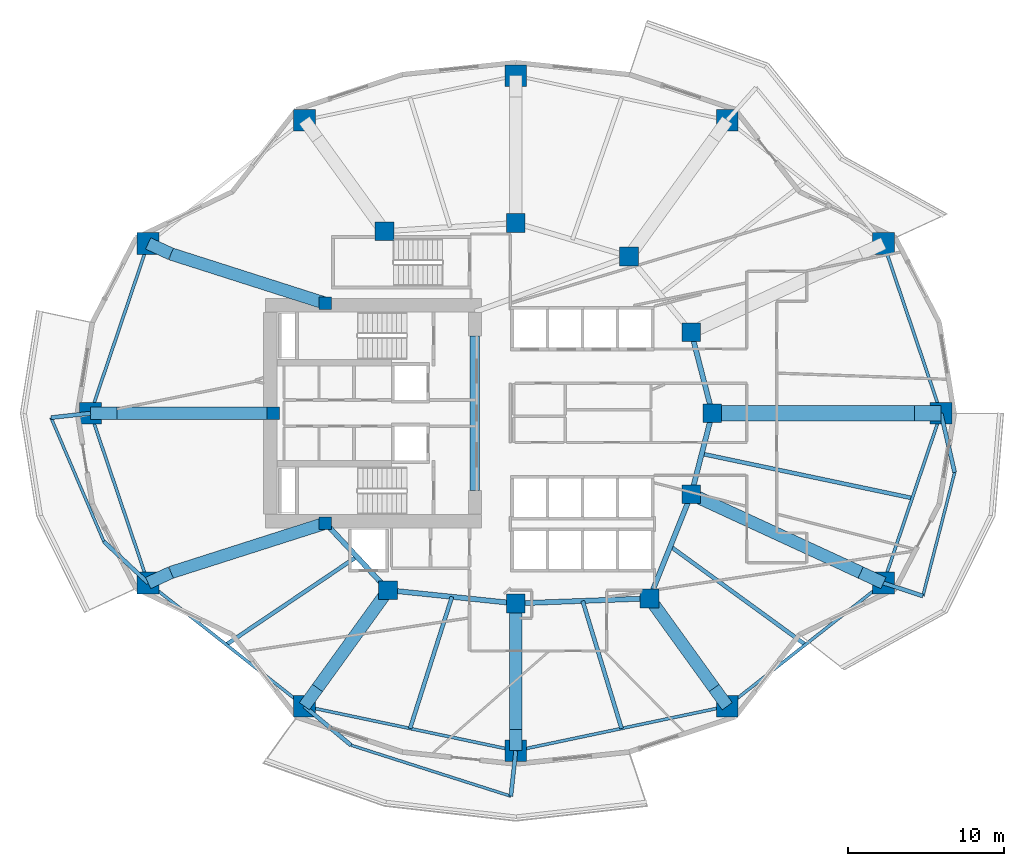
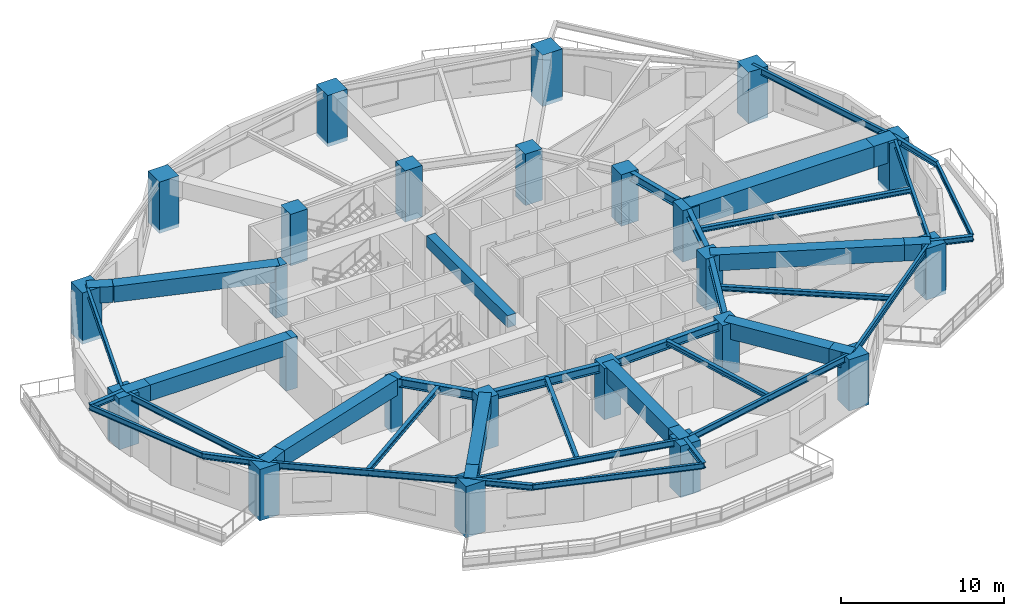
# One storey, part 1 of 13: 45 beams, 24 columns.
"""IFC4 building model written with IfcOpenShell, lengths in metres."""

from ifc_helpers import new_model, si_unit, direction, frame, origin, origin_2d, place, context, subcontext, project, spatial, rectangle, i_section, extrude, material, material_profile, profile_set, type_object, element, save


model = new_model("IFC4")

# Units and contexts
model_context = context("Model", 3, precision=1e-05, world=origin(), true_north=direction((0.0, 1.0)))
body_context = subcontext(model_context, "Body", "Model", "MODEL_VIEW")
ifc_project = project(units=[si_unit("LENGTHUNIT", "METRE"), si_unit("AREAUNIT", "SQUARE_METRE"), si_unit("VOLUMEUNIT", "CUBIC_METRE"), si_unit("PLANEANGLEUNIT", "RADIAN"), si_unit("MASSUNIT", "GRAM", prefix="KILO")], contexts=[model_context])

# Site, building, storey
site_placement = place(None, origin())
site = spatial("IfcSite", under=ifc_project, at=site_placement, CompositionType="ELEMENT")
building_placement = place(site_placement, origin())
building = spatial("IfcBuilding", under=site, at=building_placement, Name="Kolvaren Gate Tower and Convention Centre", CompositionType="ELEMENT")
storey_placement = place(building_placement, frame((0.0, 0.0, 49.60009765625)))
storey = spatial("IfcBuildingStorey", under=building, at=storey_placement, Name="L11", CompositionType="ELEMENT", Elevation=49.60009765625)

# Columns
ifc_material_1 = material(Name="Concrete C70/85", Category="concrete")
ifc_material_profile_1 = material_profile(ifc_material_1, rectangle(XDim=1.199951171875, YDim=1.199951171875, at=origin_2d()), Name="RC-COL-1200X1200")
ifc_profile_set_1 = profile_set([ifc_material_profile_1], Name="Concrete C70/85")
column_type_1 = type_object("IfcColumnType", Name="STR-COL-RC1200", PredefinedType="COLUMN", material=ifc_profile_set_1)
for number, where, z_axis, x_axis, name in (
    (1, (42.72509765625, 27.0, -0.280029296875), (0.0, 0.0, 1.0), (1.0, 0.0, 0.0), "Tower L11 Interior Column TI-01"),
    (2, (41.382080078125, 32.199462890625, -0.280029296875), (0.0, 0.0, 1.0), (1.0, 0.0, 0.0), "Tower L11 Interior Column TI-02"),
    (3, (37.381591796875, 37.054931640625, -0.280029296875), (0.0, 0.0, 1.0), (1.0, 0.0, 0.0), "Tower L11 Interior Column TI-03"),
    (4, (30.125, 39.199951171875, -0.280029296875), (0.0, 0.0, 1.0), (1.0, 0.0, 0.0), "Tower L11 Interior Column TI-04"),
    (5, (21.697998046875, 38.6767578125, -0.280029296875), (0.0, 0.0, 1.0), (1.0, 0.0, 0.0), "Tower L11 Interior Column TI-05"),
    (6, (21.93212890625, 15.647705078125, -0.280029296875), (0.0, 0.0, 1.0), (1.0, 0.0, 0.0), "Tower L11 Interior Column TI-06"),
    (7, (30.125, 14.800048828125, -0.280029296875), (0.0, 0.0, 1.0), (1.0, 0.0, 0.0), "Tower L11 Interior Column TI-07"),
    (8, (38.6982421875, 15.12060546875, -0.280029296875), (0.0, 0.0, 1.0), (1.0, 0.0, 0.0), "Tower L11 Interior Column TI-08"),
    (9, (41.382080078125, 21.800537109375, -0.280029296875), (0.0, 0.0, 1.0), (1.0, 0.0, 0.0), "Tower L11 Interior Column TI-09"),
):
    element("IfcColumn", number, at=place(storey_placement, frame(where, z_axis=z_axis, x_axis=x_axis)), inside=storey, type_object=column_type_1, Name=name, PredefinedType="COLUMN", context=body_context, shape_type="SweptSolid", body=[
        extrude(rectangle(XDim=1.199951171875, YDim=1.199951171875, at=origin_2d()), origin(), (0.0, 0.0, 1.0), 3.849853515625),
    ])
ifc_material_profile_2 = material_profile(ifc_material_1, rectangle(XDim=1.39990234375, YDim=1.39990234375, at=origin_2d()), Name="RC-COL-1400X1400")
ifc_profile_set_2 = profile_set([ifc_material_profile_2], Name="Concrete C70/85")
column_type_2 = type_object("IfcColumnType", Name="STR-COL-RC1400", PredefinedType="COLUMN", material=ifc_profile_set_2)
for number, where, z_axis, x_axis, name in (
    (10, (57.39990234375, 27.0, -0.280029296875), (0.0, 0.0, 1.0), (1.0, 0.0, 0.0), "Tower L11 Perimeter Supercolumn TP-01"),
    (11, (53.710205078125, 37.8935546875, -0.280029296875), (0.0, 0.0, 1.0), (1.0, 0.0, 0.0), "Tower L11 Perimeter Supercolumn TP-02"),
    (12, (43.690185546875, 45.79638671875, -0.280029296875), (0.0, 0.0, 1.0), (1.0, 0.0, 0.0), "Tower L11 Perimeter Supercolumn TP-03"),
    (13, (30.125, 48.64990234375, -0.280029296875), (0.0, 0.0, 1.0), (1.0, 0.0, 0.0), "Tower L11 Perimeter Supercolumn TP-04"),
    (14, (16.559814453125, 45.79638671875, -0.280029296875), (0.0, 0.0, 1.0), (1.0, 0.0, 0.0), "Tower L11 Perimeter Supercolumn TP-05"),
    (15, (6.539794921875, 37.8935546875, -0.280029296875), (0.0, 0.0, 1.0), (1.0, 0.0, 0.0), "Tower L11 Perimeter Supercolumn TP-06"),
    (16, (2.85009765625, 27.0, -0.280029296875), (0.0, 0.0, 1.0), (1.0, 0.0, 0.0), "Tower L11 Perimeter Supercolumn TP-07"),
    (17, (6.539794921875, 16.1064453125, -0.280029296875), (0.0, 0.0, 1.0), (1.0, 0.0, 0.0), "Tower L11 Perimeter Supercolumn TP-08"),
    (18, (16.559814453125, 8.20361328125, -0.280029296875), (0.0, 0.0, 1.0), (1.0, 0.0, 0.0), "Tower L11 Perimeter Supercolumn TP-09"),
    (19, (30.125, 5.35009765625, -0.280029296875), (0.0, 0.0, 1.0), (1.0, 0.0, 0.0), "Tower L11 Perimeter Supercolumn TP-10"),
    (20, (43.690185546875, 8.20361328125, -0.280029296875), (0.0, 0.0, 1.0), (1.0, 0.0, 0.0), "Tower L11 Perimeter Supercolumn TP-11"),
    (21, (53.710205078125, 16.1064453125, -0.280029296875), (0.0, 0.0, 1.0), (1.0, 0.0, 0.0), "Tower L11 Perimeter Supercolumn TP-12"),
):
    element("IfcColumn", number, at=place(storey_placement, frame(where, z_axis=z_axis, x_axis=x_axis)), inside=storey, type_object=column_type_2, Name=name, PredefinedType="COLUMN", context=body_context, shape_type="SweptSolid", body=[
        extrude(rectangle(XDim=1.39990234375, YDim=1.39990234375, at=origin_2d()), origin(), (0.0, 0.0, 1.0), 3.849853515625),
    ])
ifc_material_2 = material(Name="Concrete C60/75", Category="concrete")
ifc_material_profile_3 = material_profile(ifc_material_2, rectangle(XDim=0.800048828125, YDim=0.800048828125, at=origin_2d()), Name="RC-COL-800X800")
ifc_profile_set_3 = profile_set([ifc_material_profile_3], Name="Concrete C60/75")
column_type_3 = type_object("IfcColumnType", Name="STR-PIL-RC800", PredefinedType="PILASTER", material=ifc_profile_set_3)
for number, where, z_axis, x_axis, name in (
    (22, (17.9140625, 34.050048828125, -0.280029296875), (0.0, 0.0, 1.0), (1.0, 0.0, 0.0), "Tower L11 Core Boundary Pilaster TC-05"),
    (23, (14.550048828125, 27.0, -0.280029296875), (0.0, 0.0, 1.0), (1.0, 0.0, 0.0), "Tower L11 Core Boundary Pilaster TC-06"),
    (24, (17.9140625, 19.949951171875, -0.280029296875), (0.0, 0.0, 1.0), (1.0, 0.0, 0.0), "Tower L11 Core Boundary Pilaster TC-07"),
):
    element("IfcColumn", number, at=place(storey_placement, frame(where, z_axis=z_axis, x_axis=x_axis)), inside=storey, type_object=column_type_3, Name=name, PredefinedType="PILASTER", context=body_context, shape_type="SweptSolid", body=[
        extrude(rectangle(XDim=0.800048828125, YDim=0.800048828125, at=origin_2d()), origin(), (0.0, 0.0, 1.0), 3.849853515625),
    ])

# Beams
ifc_material_3 = material(Name="Structural steel ASTM A992 Grade 345 MPa", Category="steel")
ifc_material_profile_4 = material_profile(ifc_material_3, i_section(OverallWidth=0.260009765625, OverallDepth=0.419921875, WebThickness=0.013427734375, FlangeThickness=0.0224609375, at=origin_2d()), Name="W410X132")
ifc_profile_set_4 = profile_set([ifc_material_profile_4], Name="Structural steel ASTM A992 Grade 345 MPa")
beam_type_1 = type_object("IfcBeamType", Name="STR-BM-W410X132", PredefinedType="BEAM", material=ifc_profile_set_4)
beam_1_placement = place(storey_placement, frame((2.85009765625, 27.0, 3.3603515625), z_axis=(-0.99380547614, -0.111133593451, 0.0), x_axis=(0.111133593451, -0.99380547614, 0.0)))
element("IfcBeam", 25, at=beam_1_placement, inside=storey, type_object=beam_type_1, Name="Tower L12 Planted Balcony Outrigger Cantilever BC-2A", PredefinedType="BEAM", context=body_context, shape_type="SweptSolid", body=[
    extrude(i_section(OverallWidth=0.260009765625, OverallDepth=0.419921875, WebThickness=0.013427734375, FlangeThickness=0.0224609375, at=origin_2d()), origin(), (0.0, 0.0, 1.0), 2.55712890625),
])
beam_2_placement = place(storey_placement, frame((6.539794921875, 16.1064453125, 3.3603515625), z_axis=(-0.729404443916, 0.684082712248, 0.0), x_axis=(-0.684082712248, -0.729404443916, 0.0)))
element("IfcBeam", 26, at=beam_2_placement, inside=storey, type_object=beam_type_1, Name="Tower L12 Planted Balcony Outrigger Cantilever BC-2B", PredefinedType="BEAM", context=body_context, shape_type="SweptSolid", body=[
    extrude(i_section(OverallWidth=0.260009765625, OverallDepth=0.419921875, WebThickness=0.013427734375, FlangeThickness=0.0224609375, at=origin_2d()), origin(), (0.0, 0.0, 1.0), 3.900146484375),
])
beam_3_placement = place(storey_placement, frame((16.559814453125, 8.20361328125, 3.3603515625), z_axis=(0.767502410538, -0.641046059046, 0.0), x_axis=(0.641046059046, 0.767502410538, 0.0)))
element("IfcBeam", 27, at=beam_3_placement, inside=storey, type_object=beam_type_1, Name="Tower L12 Planted Balcony Outrigger Cantilever BC-3A", PredefinedType="BEAM", context=body_context, shape_type="SweptSolid", body=[
    extrude(i_section(OverallWidth=0.260009765625, OverallDepth=0.419921875, WebThickness=0.013427734375, FlangeThickness=0.0224609375, at=origin_2d()), origin(), (0.0, 0.0, 1.0), 3.89990234375),
])
beam_4_placement = place(storey_placement, frame((30.125, 5.35009765625, 3.3603515625), z_axis=(-0.108175388995, -0.994131824868, 0.0), x_axis=(0.994131824868, -0.108175388995, 0.0)))
element("IfcBeam", 28, at=beam_4_placement, inside=storey, type_object=beam_type_1, Name="Tower L12 Planted Balcony Outrigger Cantilever BC-3B", PredefinedType="BEAM", context=body_context, shape_type="SweptSolid", body=[
    extrude(i_section(OverallWidth=0.260009765625, OverallDepth=0.419921875, WebThickness=0.013427734375, FlangeThickness=0.0224609375, at=origin_2d()), origin(), (0.0, 0.0, 1.0), 2.93408203125),
])
beam_5_placement = place(storey_placement, frame((53.710205078125, 16.1064453125, 3.3603515625), z_axis=(0.95005079682, -0.312095311502, 0.0), x_axis=(0.312095311502, 0.95005079682, 0.0)))
element("IfcBeam", 29, at=beam_5_placement, inside=storey, type_object=beam_type_1, Name="Tower L12 Planted Balcony Outrigger Cantilever BC-4A", PredefinedType="BEAM", context=body_context, shape_type="SweptSolid", body=[
    extrude(i_section(OverallWidth=0.260009765625, OverallDepth=0.419921875, WebThickness=0.013427734375, FlangeThickness=0.0224609375, at=origin_2d()), origin(), (0.0, 0.0, 1.0), 2.660400390625),
])
beam_6_placement = place(storey_placement, frame((57.39990234375, 27.0, 3.3603515625), z_axis=(0.224850363228, -0.974393305681, 0.0), x_axis=(0.974393305681, 0.224850363228, 0.0)))
element("IfcBeam", 30, at=beam_6_placement, inside=storey, type_object=beam_type_1, Name="Tower L12 Planted Balcony Outrigger Cantilever BC-4B", PredefinedType="BEAM", context=body_context, shape_type="SweptSolid", body=[
    extrude(i_section(OverallWidth=0.260009765625, OverallDepth=0.419921875, WebThickness=0.013427734375, FlangeThickness=0.0224609375, at=origin_2d()), origin(), (0.0, 0.0, 1.0), 3.900146484375),
])
ifc_material_profile_5 = material_profile(ifc_material_3, i_section(OverallWidth=0.327880859375, OverallDepth=0.6279296875, WebThickness=0.0166015625, FlangeThickness=0.027587890625, at=origin_2d()), Name="W610X217")
ifc_profile_set_5 = profile_set([ifc_material_profile_5], Name="Structural steel ASTM A992 Grade 345 MPa")
beam_type_2 = type_object("IfcBeamType", Name="STR-BM-W610X217", PredefinedType="BEAM", material=ifc_profile_set_5)
beam_7_placement = place(storey_placement, frame((42.72509765625, 27.0, 3.255859375), z_axis=(-0.250091133936, -0.968222301296, 0.0), x_axis=(0.968222301296, -0.250091133936, 0.0)))
element("IfcBeam", 31, at=beam_7_placement, inside=storey, type_object=beam_type_2, Name="Tower L11 Primary Ring Girder G-01", PredefinedType="BEAM", context=body_context, shape_type="SweptSolid", body=[
    extrude(i_section(OverallWidth=0.327880859375, OverallDepth=0.6279296875, WebThickness=0.0166015625, FlangeThickness=0.027587890625, at=origin_2d()), origin(), (0.0, 0.0, 1.0), 5.3701171875),
])
beam_8_placement = place(storey_placement, frame((17.9140625, 19.949951171875, 3.255859375), z_axis=(0.682557592987, -0.730831808459, 0.0), x_axis=(0.730831808459, 0.682557592987, 0.0)))
element("IfcBeam", 32, at=beam_8_placement, inside=storey, type_object=beam_type_2, Name="Tower L11 Primary Ring Girder G-06", PredefinedType="BEAM", context=body_context, shape_type="SweptSolid", body=[
    extrude(i_section(OverallWidth=0.327880859375, OverallDepth=0.6279296875, WebThickness=0.0166015625, FlangeThickness=0.027587890625, at=origin_2d()), origin(), (0.0, 0.0, 1.0), 5.88671875),
])
beam_9_placement = place(storey_placement, frame((21.93212890625, 15.647705078125, 3.255859375), z_axis=(0.994690329115, -0.102913308978, 0.0), x_axis=(0.102913308978, 0.994690329115, 0.0)))
element("IfcBeam", 33, at=beam_9_placement, inside=storey, type_object=beam_type_2, Name="Tower L11 Primary Ring Girder G-07", PredefinedType="BEAM", context=body_context, shape_type="SweptSolid", body=[
    extrude(i_section(OverallWidth=0.327880859375, OverallDepth=0.6279296875, WebThickness=0.0166015625, FlangeThickness=0.027587890625, at=origin_2d()), origin(), (0.0, 0.0, 1.0), 8.236572265625),
])
beam_10_placement = place(storey_placement, frame((30.125, 14.800048828125, 3.255859375), z_axis=(0.999301712453, 0.037364254142, 0.0), x_axis=(-0.037364254142, 0.999301712453, 0.0)))
element("IfcBeam", 34, at=beam_10_placement, inside=storey, type_object=beam_type_2, Name="Tower L11 Primary Ring Girder G-08", PredefinedType="BEAM", context=body_context, shape_type="SweptSolid", body=[
    extrude(i_section(OverallWidth=0.327880859375, OverallDepth=0.6279296875, WebThickness=0.0166015625, FlangeThickness=0.027587890625, at=origin_2d()), origin(), (0.0, 0.0, 1.0), 8.579345703125),
])
beam_11_placement = place(storey_placement, frame((38.6982421875, 15.12060546875, 3.255859375), z_axis=(0.372811100169, 0.927907260232, 0.0), x_axis=(-0.927907260232, 0.372811100169, 0.0)))
element("IfcBeam", 35, at=beam_11_placement, inside=storey, type_object=beam_type_2, Name="Tower L11 Primary Ring Girder G-09", PredefinedType="BEAM", context=body_context, shape_type="SweptSolid", body=[
    extrude(i_section(OverallWidth=0.327880859375, OverallDepth=0.6279296875, WebThickness=0.0166015625, FlangeThickness=0.027587890625, at=origin_2d()), origin(), (0.0, 0.0, 1.0), 7.198974609375),
])
beam_12_placement = place(storey_placement, frame((42.72509765625, 27.0, 3.255859375), z_axis=(-0.250091133936, 0.968222301296, 0.0), x_axis=(-0.968222301296, -0.250091133936, 0.0)))
element("IfcBeam", 36, at=beam_12_placement, inside=storey, type_object=beam_type_2, Name="Tower L11 Primary Ring Girder G-12", PredefinedType="BEAM", context=body_context, shape_type="SweptSolid", body=[
    extrude(i_section(OverallWidth=0.327880859375, OverallDepth=0.6279296875, WebThickness=0.0166015625, FlangeThickness=0.027587890625, at=origin_2d()), origin(), (0.0, 0.0, 1.0), 5.3701171875),
])
ifc_material_profile_6 = material_profile(ifc_material_3, i_section(OverallWidth=0.2548828125, OverallDepth=0.35693359375, WebThickness=0.010498046875, FlangeThickness=0.018310546875, at=origin_2d()), Name="W360X101")
ifc_profile_set_6 = profile_set([ifc_material_profile_6], Name="Structural steel ASTM A992 Grade 345 MPa")
beam_type_3 = type_object("IfcBeamType", Name="STR-JS-W360X101", PredefinedType="JOIST", material=ifc_profile_set_6)
beam_13_placement = place(storey_placement, frame((19.923095703125, 17.798828125, 3.391357421875), z_axis=(-0.829223797874, -0.558916713866, 0.0), x_axis=(0.558916713866, -0.829223797874, 0.0)))
element("IfcBeam", 37, at=beam_13_placement, inside=storey, type_object=beam_type_3, Name="Tower L11 Secondary Composite Floor Joist J-08.1", PredefinedType="JOIST", context=body_context, shape_type="SweptSolid", body=[
    extrude(i_section(OverallWidth=0.2548828125, OverallDepth=0.35693359375, WebThickness=0.010498046875, FlangeThickness=0.018310546875, at=origin_2d()), origin(), (0.0, 0.0, 1.0), 10.09765625),
])
beam_14_placement = place(storey_placement, frame((26.028564453125, 15.223876953125, 3.391357421875), z_axis=(-0.303059270932, -0.952971709078, 0.0), x_axis=(0.952971709078, -0.303059270932, 0.0)))
element("IfcBeam", 38, at=beam_14_placement, inside=storey, type_object=beam_type_3, Name="Tower L11 Secondary Composite Floor Joist J-09.1", PredefinedType="JOIST", context=body_context, shape_type="SweptSolid", body=[
    extrude(i_section(OverallWidth=0.2548828125, OverallDepth=0.35693359375, WebThickness=0.010498046875, FlangeThickness=0.018310546875, at=origin_2d()), origin(), (0.0, 0.0, 1.0), 8.86376953125),
])
beam_15_placement = place(storey_placement, frame((34.41162109375, 14.960205078125, 3.391357421875), z_axis=(0.291750890749, -0.956494337541, 0.0), x_axis=(0.956494337541, 0.291750890749, 0.0)))
element("IfcBeam", 39, at=beam_15_placement, inside=storey, type_object=beam_type_3, Name="Tower L11 Secondary Composite Floor Joist J-10.1", PredefinedType="JOIST", context=body_context, shape_type="SweptSolid", body=[
    extrude(i_section(OverallWidth=0.2548828125, OverallDepth=0.35693359375, WebThickness=0.010498046875, FlangeThickness=0.018310546875, at=origin_2d()), origin(), (0.0, 0.0, 1.0), 8.5556640625),
])
beam_16_placement = place(storey_placement, frame((40.040283203125, 18.46044921875, 3.391357421875), z_axis=(0.808411716387, -0.588617445212, 0.0), x_axis=(0.588617445212, 0.808411716387, 0.0)))
element("IfcBeam", 40, at=beam_16_placement, inside=storey, type_object=beam_type_3, Name="Tower L11 Secondary Composite Floor Joist J-11.1", PredefinedType="JOIST", context=body_context, shape_type="SweptSolid", body=[
    extrude(i_section(OverallWidth=0.2548828125, OverallDepth=0.35693359375, WebThickness=0.010498046875, FlangeThickness=0.018310546875, at=origin_2d()), origin(), (0.0, 0.0, 1.0), 10.712158203125),
])
beam_17_placement = place(storey_placement, frame((42.0537109375, 24.400146484375, 3.391357421875), z_axis=(0.978483842038, -0.206323461756, 0.0), x_axis=(0.206323461756, 0.978483842038, 0.0)))
element("IfcBeam", 41, at=beam_17_placement, inside=storey, type_object=beam_type_3, Name="Tower L11 Secondary Composite Floor Joist J-12.1", PredefinedType="JOIST", context=body_context, shape_type="SweptSolid", body=[
    extrude(i_section(OverallWidth=0.2548828125, OverallDepth=0.35693359375, WebThickness=0.010498046875, FlangeThickness=0.018310546875, at=origin_2d()), origin(), (0.0, 0.0, 1.0), 13.79833984375),
])
ifc_material_profile_7 = material_profile(ifc_material_2, rectangle(XDim=0.60009765625, YDim=0.89990234375, at=origin_2d()), Name="RC-BM-600X900")
ifc_profile_set_7 = profile_set([ifc_material_profile_7], Name="Concrete C60/75")
beam_type_4 = type_object("IfcBeamType", Name="STR-LN-RC600X900", PredefinedType="LINTEL", material=ifc_profile_set_7)
beam_18_placement = place(storey_placement, frame((27.5, 22.050048828125, 3.119873046875), z_axis=(0.0, 1.0, 0.0), x_axis=(-1.0, 0.0, 0.0)))
element("IfcBeam", 42, at=beam_18_placement, inside=storey, type_object=beam_type_4, Name="Tower L11 Core Ductile Coupling Beam CB-01", PredefinedType="LINTEL", context=body_context, shape_type="SweptSolid", body=[
    extrude(rectangle(XDim=0.60009765625, YDim=0.89990234375, at=origin_2d()), origin(), (0.0, 0.0, 1.0), 9.89990234375),
])
ifc_material_profile_8 = material_profile(ifc_material_3, i_section(OverallWidth=0.180908203125, OverallDepth=0.4169921875, WebThickness=0.010986328125, FlangeThickness=0.018310546875, at=origin_2d()), Name="W410X85")
ifc_profile_set_8 = profile_set([ifc_material_profile_8], Name="Structural steel ASTM A992 Grade 345 MPa")
beam_type_5 = type_object("IfcBeamType", Name="STR-SP-W410X85", PredefinedType="SPANDREL", material=ifc_profile_set_8)
beam_19_placement = place(storey_placement, frame((0.308837890625, 26.7158203125, 3.36181640625), z_axis=(0.392232609985, -0.919866066156, 0.0), x_axis=(0.919866066156, 0.392232609985, 0.0)))
element("IfcBeam", 43, at=beam_19_placement, inside=storey, type_object=beam_type_5, Name="Tower L12 Planted Balcony Header Tie Beam BT-2", PredefinedType="SPANDREL", context=body_context, shape_type="SweptSolid", body=[
    extrude(i_section(OverallWidth=0.180908203125, OverallDepth=0.4169921875, WebThickness=0.010986328125, FlangeThickness=0.018310546875, at=origin_2d()), origin(), (0.0, 0.0, 1.0), 8.63330078125),
])
beam_20_placement = place(storey_placement, frame((19.552978515625, 5.70361328125, 3.36181640625), z_axis=(0.952726284504, -0.303829930742, 0.0), x_axis=(0.303829930742, 0.952726284504, 0.0)))
element("IfcBeam", 44, at=beam_20_placement, inside=storey, type_object=beam_type_5, Name="Tower L12 Planted Balcony Header Tie Beam BT-3", PredefinedType="SPANDREL", context=body_context, shape_type="SweptSolid", body=[
    extrude(i_section(OverallWidth=0.180908203125, OverallDepth=0.4169921875, WebThickness=0.010986328125, FlangeThickness=0.018310546875, at=origin_2d()), origin(), (0.0, 0.0, 1.0), 10.763427734375),
])
beam_21_placement = place(storey_placement, frame((56.23779296875, 15.276123046875, 3.36181640625), z_axis=(0.24922096464, 0.968446648393, 0.0), x_axis=(-0.968446648393, 0.24922096464, 0.0)))
element("IfcBeam", 45, at=beam_21_placement, inside=storey, type_object=beam_type_5, Name="Tower L12 Planted Balcony Header Tie Beam BT-4", PredefinedType="SPANDREL", context=body_context, shape_type="SweptSolid", body=[
    extrude(i_section(OverallWidth=0.180908203125, OverallDepth=0.4169921875, WebThickness=0.010986328125, FlangeThickness=0.018310546875, at=origin_2d()), origin(), (0.0, 0.0, 1.0), 8.181640625),
])
ifc_material_profile_9 = material_profile(ifc_material_3, i_section(OverallWidth=0.194091796875, OverallDepth=0.468994140625, WebThickness=0.0126953125, FlangeThickness=0.0205078125, at=origin_2d()), Name="W460X106")
ifc_profile_set_9 = profile_set([ifc_material_profile_9], Name="Structural steel ASTM A992 Grade 345 MPa")
beam_type_6 = type_object("IfcBeamType", Name="STR-SP-W460X106", PredefinedType="SPANDREL", material=ifc_profile_set_9)
for number, where, z_axis, x_axis, name in (
    (46, (57.39990234375, 27.0, 3.33544921875), (-0.320802733798, 0.947146032029, 0.0), (-0.947146032029, -0.320802733798, 0.0), "Tower L11 Perimeter Spandrel Beam SP-01"),
    (47, (6.539794921875, 37.8935546875, 3.33544921875), (-0.320802733798, -0.947146032029, 0.0), (0.947146032029, -0.320802733798, 0.0), "Tower L11 Perimeter Spandrel Beam SP-06"),
    (48, (2.85009765625, 27.0, 3.33544921875), (0.320802733798, -0.947146032029, 0.0), (0.947146032029, 0.320802733798, 0.0), "Tower L11 Perimeter Spandrel Beam SP-07"),
):
    element("IfcBeam", number, at=place(storey_placement, frame(where, z_axis=z_axis, x_axis=x_axis)), inside=storey, type_object=beam_type_6, Name=name, PredefinedType="SPANDREL", context=body_context, shape_type="SweptSolid", body=[
        extrude(i_section(OverallWidth=0.194091796875, OverallDepth=0.468994140625, WebThickness=0.0126953125, FlangeThickness=0.0205078125, at=origin_2d()), origin(), (0.0, 0.0, 1.0), 11.50146484375),
    ])
beam_22_placement = place(storey_placement, frame((6.539794921875, 16.1064453125, 3.33544921875), z_axis=(0.785176498861, -0.619272044933, 0.0), x_axis=(0.619272044933, 0.785176498861, 0.0)))
element("IfcBeam", 49, at=beam_22_placement, inside=storey, type_object=beam_type_6, Name="Tower L11 Perimeter Spandrel Beam SP-08", PredefinedType="SPANDREL", context=body_context, shape_type="SweptSolid", body=[
    extrude(i_section(OverallWidth=0.194091796875, OverallDepth=0.468994140625, WebThickness=0.0126953125, FlangeThickness=0.0205078125, at=origin_2d()), origin(), (0.0, 0.0, 1.0), 12.761474609375),
])
for number, where, z_axis, x_axis, name in (
    (50, (16.559814453125, 8.20361328125, 3.33544921875), (0.978583407863, -0.205850707685, 0.0), (0.205850707685, 0.978583407863, 0.0), "Tower L11 Perimeter Spandrel Beam SP-09"),
    (51, (30.125, 5.35009765625, 3.33544921875), (0.978583407863, 0.205850707685, 0.0), (-0.205850707685, 0.978583407863, 0.0), "Tower L11 Perimeter Spandrel Beam SP-10"),
):
    element("IfcBeam", number, at=place(storey_placement, frame(where, z_axis=z_axis, x_axis=x_axis)), inside=storey, type_object=beam_type_6, Name=name, PredefinedType="SPANDREL", context=body_context, shape_type="SweptSolid", body=[
        extrude(i_section(OverallWidth=0.194091796875, OverallDepth=0.468994140625, WebThickness=0.0126953125, FlangeThickness=0.0205078125, at=origin_2d()), origin(), (0.0, 0.0, 1.0), 13.862060546875),
    ])
beam_23_placement = place(storey_placement, frame((43.690185546875, 8.20361328125, 3.33544921875), z_axis=(0.785176498861, 0.619272044933, 0.0), x_axis=(-0.619272044933, 0.785176498861, 0.0)))
element("IfcBeam", 52, at=beam_23_placement, inside=storey, type_object=beam_type_6, Name="Tower L11 Perimeter Spandrel Beam SP-11", PredefinedType="SPANDREL", context=body_context, shape_type="SweptSolid", body=[
    extrude(i_section(OverallWidth=0.194091796875, OverallDepth=0.468994140625, WebThickness=0.0126953125, FlangeThickness=0.0205078125, at=origin_2d()), origin(), (0.0, 0.0, 1.0), 12.761474609375),
])
beam_24_placement = place(storey_placement, frame((53.710205078125, 16.1064453125, 3.33544921875), z_axis=(0.320802733798, 0.947146032029, 0.0), x_axis=(-0.947146032029, 0.320802733798, 0.0)))
element("IfcBeam", 53, at=beam_24_placement, inside=storey, type_object=beam_type_6, Name="Tower L11 Perimeter Spandrel Beam SP-12", PredefinedType="SPANDREL", context=body_context, shape_type="SweptSolid", body=[
    extrude(i_section(OverallWidth=0.194091796875, OverallDepth=0.468994140625, WebThickness=0.0126953125, FlangeThickness=0.0205078125, at=origin_2d()), origin(), (0.0, 0.0, 1.0), 11.50146484375),
])
ifc_material_profile_10 = material_profile(ifc_material_1, rectangle(XDim=1.0, YDim=1.60009765625, at=origin_2d()), Name="RC-BM-1000X1600")
ifc_profile_set_10 = profile_set([ifc_material_profile_10], Name="Concrete C70/85")
beam_type_7 = type_object("IfcBeamType", Name="STR-TG-RC1000X1600", PredefinedType="USERDEFINED", material=ifc_profile_set_10)
beam_25_placement = place(storey_placement, frame((42.72509765625, 27.0, 2.7705078125), z_axis=(1.0, 0.0, 0.0), x_axis=(0.0, 1.0, 0.0)))
element("IfcBeam", 54, at=beam_25_placement, inside=storey, type_object=beam_type_7, Name="Tower L11 Zone-Transition Radial Transfer Girder XFG-01A", ObjectType="TRANSFER GIRDER", PredefinedType="USERDEFINED", context=body_context, shape_type="SweptSolid", body=[
    extrude(rectangle(XDim=1.0, YDim=1.60009765625, at=origin_2d()), origin(), (0.0, 0.0, 1.0), 12.9873046875),
])
beam_26_placement = place(storey_placement, frame((55.71240234375, 27.0, 2.7705078125), z_axis=(1.0, 0.0, 0.0), x_axis=(0.0, 1.0, 0.0)))
element("IfcBeam", 55, at=beam_26_placement, inside=storey, type_object=beam_type_7, Name="Tower L11 Zone-Transition Radial Transfer Girder XFG-01B", ObjectType="TRANSFER GIRDER", PredefinedType="USERDEFINED", context=body_context, shape_type="SweptSolid", body=[
    extrude(rectangle(XDim=1.0, YDim=1.60009765625, at=origin_2d()), origin(), (0.0, 0.0, 1.0), 1.6875),
])
ifc_material_profile_11 = material_profile(ifc_material_1, rectangle(XDim=0.800048828125, YDim=1.199951171875, at=origin_2d()), Name="RC-BM-800X1200")
ifc_profile_set_11 = profile_set([ifc_material_profile_11], Name="Concrete C70/85")
beam_type_8 = type_object("IfcBeamType", Name="STR-TG-RC800X1200", PredefinedType="USERDEFINED", material=ifc_profile_set_11)
beam_27_placement = place(storey_placement, frame((17.9140625, 34.050048828125, 2.970458984375), z_axis=(-0.952525967456, 0.304457355507, 0.0), x_axis=(-0.304457355507, -0.952525967456, 0.0)))
element("IfcBeam", 56, at=beam_27_placement, inside=storey, type_object=beam_type_8, Name="Tower L11 Zone-Transition Radial Transfer Girder XFG-06A", ObjectType="TRANSFER GIRDER", PredefinedType="USERDEFINED", context=body_context, shape_type="SweptSolid", body=[
    extrude(rectangle(XDim=0.800048828125, YDim=1.199951171875, at=origin_2d()), origin(), (0.0, 0.0, 1.0), 10.406982421875),
])
beam_28_placement = place(storey_placement, frame((8.001220703125, 37.218505859375, 2.970458984375), z_axis=(-0.907830616486, 0.419337062243, 0.0), x_axis=(-0.419337062243, -0.907830616486, 0.0)))
element("IfcBeam", 57, at=beam_28_placement, inside=storey, type_object=beam_type_8, Name="Tower L11 Zone-Transition Radial Transfer Girder XFG-06B", ObjectType="TRANSFER GIRDER", PredefinedType="USERDEFINED", context=body_context, shape_type="SweptSolid", body=[
    extrude(rectangle(XDim=0.800048828125, YDim=1.199951171875, at=origin_2d()), origin(), (0.0, 0.0, 1.0), 1.60986328125),
])
beam_29_placement = place(storey_placement, frame((14.550048828125, 27.0, 2.970458984375), z_axis=(-1.0, 0.0, 0.0), x_axis=(0.0, -1.0, 0.0)))
element("IfcBeam", 58, at=beam_29_placement, inside=storey, type_object=beam_type_8, Name="Tower L11 Zone-Transition Radial Transfer Girder XFG-07A", ObjectType="TRANSFER GIRDER", PredefinedType="USERDEFINED", context=body_context, shape_type="SweptSolid", body=[
    extrude(rectangle(XDim=0.800048828125, YDim=1.199951171875, at=origin_2d()), origin(), (0.0, 0.0, 1.0), 10.012451171875),
])
beam_30_placement = place(storey_placement, frame((4.53759765625, 27.0, 2.970458984375), z_axis=(-1.0, 0.0, 0.0), x_axis=(0.0, -1.0, 0.0)))
element("IfcBeam", 59, at=beam_30_placement, inside=storey, type_object=beam_type_8, Name="Tower L11 Zone-Transition Radial Transfer Girder XFG-07B", ObjectType="TRANSFER GIRDER", PredefinedType="USERDEFINED", context=body_context, shape_type="SweptSolid", body=[
    extrude(rectangle(XDim=0.800048828125, YDim=1.199951171875, at=origin_2d()), origin(), (0.0, 0.0, 1.0), 1.6875),
])
beam_31_placement = place(storey_placement, frame((17.9140625, 19.949951171875, 2.970458984375), z_axis=(-0.952525967456, -0.304457355507, 0.0), x_axis=(0.304457355507, -0.952525967456, 0.0)))
element("IfcBeam", 60, at=beam_31_placement, inside=storey, type_object=beam_type_8, Name="Tower L11 Zone-Transition Radial Transfer Girder XFG-08A", ObjectType="TRANSFER GIRDER", PredefinedType="USERDEFINED", context=body_context, shape_type="SweptSolid", body=[
    extrude(rectangle(XDim=0.800048828125, YDim=1.199951171875, at=origin_2d()), origin(), (0.0, 0.0, 1.0), 10.406982421875),
])
beam_32_placement = place(storey_placement, frame((8.001220703125, 16.781494140625, 2.970458984375), z_axis=(-0.907830616486, -0.419337062243, 0.0), x_axis=(0.419337062243, -0.907830616486, 0.0)))
element("IfcBeam", 61, at=beam_32_placement, inside=storey, type_object=beam_type_8, Name="Tower L11 Zone-Transition Radial Transfer Girder XFG-08B", ObjectType="TRANSFER GIRDER", PredefinedType="USERDEFINED", context=body_context, shape_type="SweptSolid", body=[
    extrude(rectangle(XDim=0.800048828125, YDim=1.199951171875, at=origin_2d()), origin(), (0.0, 0.0, 1.0), 1.60986328125),
])
beam_33_placement = place(storey_placement, frame((21.93212890625, 15.647705078125, 2.970458984375), z_axis=(-0.585209453994, -0.810882170821, 0.0), x_axis=(0.810882170821, -0.585209453994, 0.0)))
element("IfcBeam", 62, at=beam_33_placement, inside=storey, type_object=beam_type_8, Name="Tower L11 Zone-Transition Radial Transfer Girder XFG-09A", ObjectType="TRANSFER GIRDER", PredefinedType="USERDEFINED", context=body_context, shape_type="SweptSolid", body=[
    extrude(rectangle(XDim=0.800048828125, YDim=1.199951171875, at=origin_2d()), origin(), (0.0, 0.0, 1.0), 7.73828125),
])
beam_34_placement = place(storey_placement, frame((17.403564453125, 9.372802734375, 2.970458984375), z_axis=(-0.585187582445, -0.810897954956, 0.0), x_axis=(0.810897954956, -0.585187582445, 0.0)))
element("IfcBeam", 63, at=beam_34_placement, inside=storey, type_object=beam_type_8, Name="Tower L11 Zone-Transition Radial Transfer Girder XFG-09B", ObjectType="TRANSFER GIRDER", PredefinedType="USERDEFINED", context=body_context, shape_type="SweptSolid", body=[
    extrude(rectangle(XDim=0.800048828125, YDim=1.199951171875, at=origin_2d()), origin(), (0.0, 0.0, 1.0), 1.44189453125),
])
beam_35_placement = place(storey_placement, frame((30.125, 14.800048828125, 2.970458984375), z_axis=(0.0, -1.0, 0.0), x_axis=(1.0, 0.0, 0.0)))
element("IfcBeam", 64, at=beam_35_placement, inside=storey, type_object=beam_type_8, Name="Tower L11 Zone-Transition Radial Transfer Girder XFG-10A", ObjectType="TRANSFER GIRDER", PredefinedType="USERDEFINED", context=body_context, shape_type="SweptSolid", body=[
    extrude(rectangle(XDim=0.800048828125, YDim=1.199951171875, at=origin_2d()), origin(), (0.0, 0.0, 1.0), 8.10009765625),
])
beam_36_placement = place(storey_placement, frame((30.125, 6.699951171875, 2.970458984375), z_axis=(0.0, -1.0, 0.0), x_axis=(1.0, 0.0, 0.0)))
element("IfcBeam", 65, at=beam_36_placement, inside=storey, type_object=beam_type_8, Name="Tower L11 Zone-Transition Radial Transfer Girder XFG-10B", ObjectType="TRANSFER GIRDER", PredefinedType="USERDEFINED", context=body_context, shape_type="SweptSolid", body=[
    extrude(rectangle(XDim=0.800048828125, YDim=1.199951171875, at=origin_2d()), origin(), (0.0, 0.0, 1.0), 1.349853515625),
])
beam_37_placement = place(storey_placement, frame((38.6982421875, 15.12060546875, 2.970458984375), z_axis=(0.585212604054, -0.81087989743, 0.0), x_axis=(0.81087989743, 0.585212604054, 0.0)))
element("IfcBeam", 66, at=beam_37_placement, inside=storey, type_object=beam_type_8, Name="Tower L11 Zone-Transition Radial Transfer Girder XFG-11A", ObjectType="TRANSFER GIRDER", PredefinedType="USERDEFINED", context=body_context, shape_type="SweptSolid", body=[
    extrude(rectangle(XDim=0.800048828125, YDim=1.199951171875, at=origin_2d()), origin(), (0.0, 0.0, 1.0), 7.08837890625),
])
beam_38_placement = place(storey_placement, frame((42.846435546875, 9.372802734375, 2.970458984375), z_axis=(0.585187582445, -0.810897954956, 0.0), x_axis=(0.810897954956, 0.585187582445, 0.0)))
element("IfcBeam", 67, at=beam_38_placement, inside=storey, type_object=beam_type_8, Name="Tower L11 Zone-Transition Radial Transfer Girder XFG-11B", ObjectType="TRANSFER GIRDER", PredefinedType="USERDEFINED", context=body_context, shape_type="SweptSolid", body=[
    extrude(rectangle(XDim=0.800048828125, YDim=1.199951171875, at=origin_2d()), origin(), (0.0, 0.0, 1.0), 1.44189453125),
])
beam_39_placement = place(storey_placement, frame((41.382080078125, 21.800537109375, 2.970458984375), z_axis=(0.907843538102, -0.419309086864, 0.0), x_axis=(0.419309086864, 0.907843538102, 0.0)))
element("IfcBeam", 68, at=beam_39_placement, inside=storey, type_object=beam_type_8, Name="Tower L11 Zone-Transition Radial Transfer Girder XFG-12A", ObjectType="TRANSFER GIRDER", PredefinedType="USERDEFINED", context=body_context, shape_type="SweptSolid", body=[
    extrude(rectangle(XDim=0.800048828125, YDim=1.199951171875, at=origin_2d()), origin(), (0.0, 0.0, 1.0), 11.9697265625),
])
beam_40_placement = place(storey_placement, frame((52.248779296875, 16.781494140625, 2.970458984375), z_axis=(0.907830616486, -0.419337062243, 0.0), x_axis=(0.419337062243, 0.907830616486, 0.0)))
element("IfcBeam", 69, at=beam_40_placement, inside=storey, type_object=beam_type_8, Name="Tower L11 Zone-Transition Radial Transfer Girder XFG-12B", ObjectType="TRANSFER GIRDER", PredefinedType="USERDEFINED", context=body_context, shape_type="SweptSolid", body=[
    extrude(rectangle(XDim=0.800048828125, YDim=1.199951171875, at=origin_2d()), origin(), (0.0, 0.0, 1.0), 1.60986328125),
])

save(model, "model.ifc")
